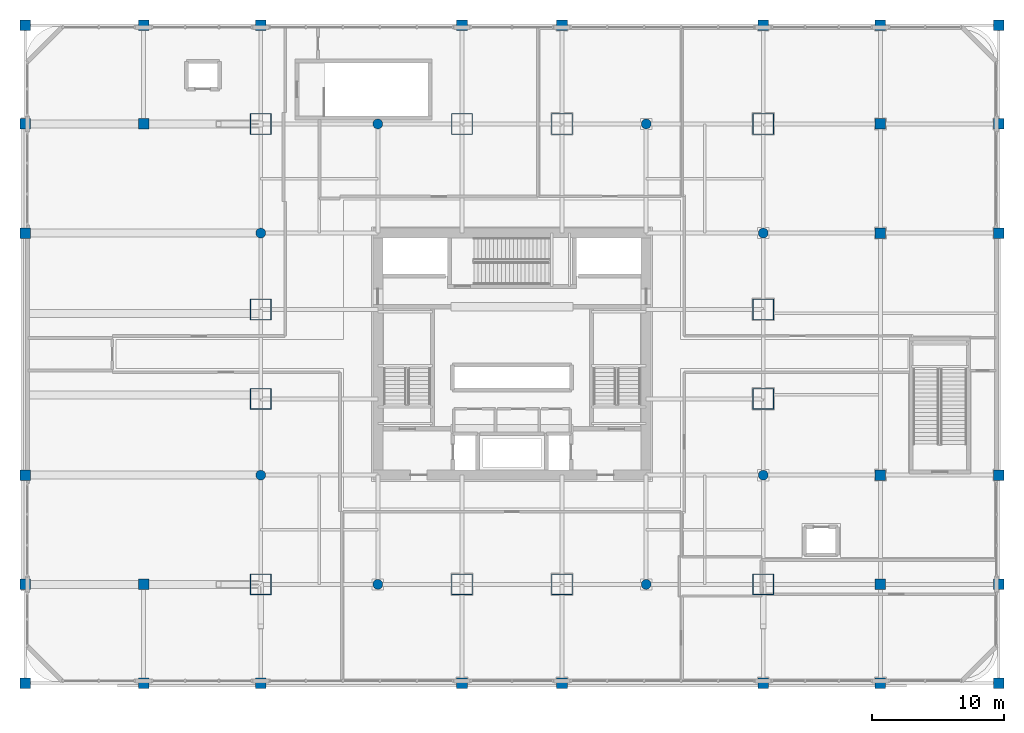
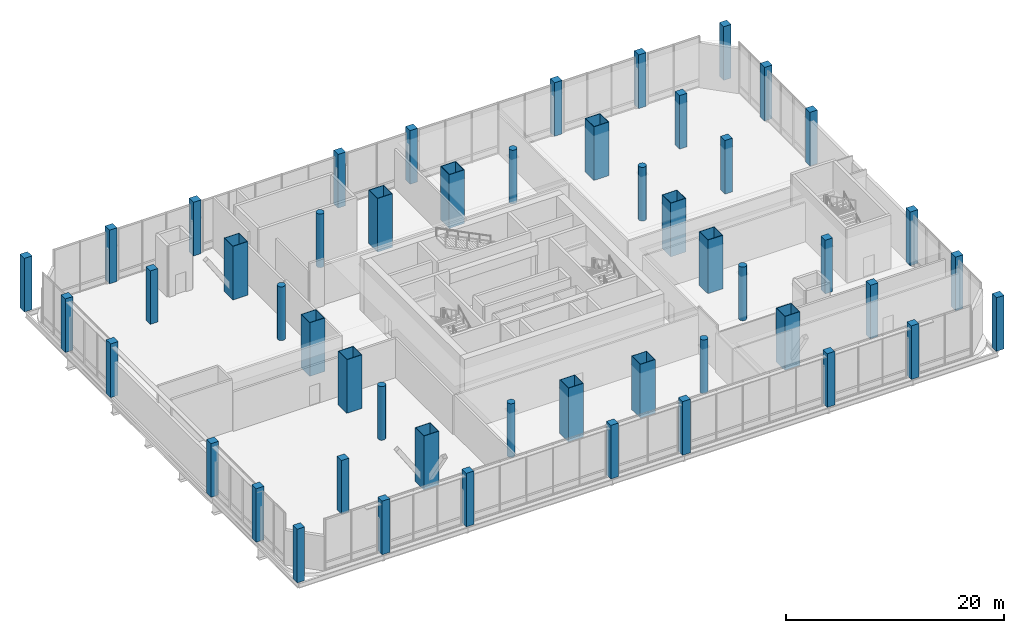
# One storey, part 1 of 38: 50 columns.
"""IFC4 building model written with IfcOpenShell, lengths in metres."""

from ifc_helpers import new_model, si_unit, direction, frame, origin, origin_2d, place, context, subcontext, project, spatial, rectangle, hollow_rectangle, circle, extrude, material, material_profile, profile_set, type_object, element, save


model = new_model("IFC4")

# Units and contexts
model_context = context("Model", 3, precision=1e-05, world=origin(), true_north=direction((0.0, 1.0)))
body_context = subcontext(model_context, "Body", "Model", "MODEL_VIEW")
ifc_project = project(units=[si_unit("LENGTHUNIT", "METRE"), si_unit("AREAUNIT", "SQUARE_METRE"), si_unit("VOLUMEUNIT", "CUBIC_METRE"), si_unit("PLANEANGLEUNIT", "RADIAN"), si_unit("MASSUNIT", "GRAM", prefix="KILO")], contexts=[model_context])

# Site, building, storey
site_placement = place(None, origin())
site = spatial("IfcSite", under=ifc_project, at=site_placement, CompositionType="ELEMENT")
building_placement = place(site_placement, origin())
building = spatial("IfcBuilding", under=site, at=building_placement, Name="Punatoya Terracotta Tower", CompositionType="ELEMENT")
storey_placement = place(building_placement, frame((0.0, 0.0, 22.199951171875)))
storey = spatial("IfcBuildingStorey", under=building, at=storey_placement, Name="L04", CompositionType="ELEMENT", Elevation=22.199951171875)

# Columns
ifc_material_1 = material(Name="Steel S460", Category="steel")
ifc_material_profile_1 = material_profile(ifc_material_1, hollow_rectangle(XDim=1.60009765625, YDim=1.60009765625, WallThickness=0.050048828125, at=origin_2d()))
ifc_profile_set_1 = profile_set([ifc_material_profile_1], Name="Steel S460")
column_type_1 = type_object("IfcColumnType", Name="COL-MC-Z0", PredefinedType="COLUMN", material=ifc_profile_set_1)
for number, where, z_axis, x_axis, name in (
    (1, (-19.10009765625, -17.5, 0.0), (0.0, 0.0, 1.0), (1.0, 0.0, 0.0), "L04 Composite Mega-Column MC-01 (3-B)"),
    (2, (-3.800048828125, -17.5, 0.0), (0.0, 0.0, 1.0), (1.0, 0.0, 0.0), "L04 Composite Mega-Column MC-02 (5-B)"),
    (3, (3.800048828125, -17.5, 0.0), (0.0, 0.0, 1.0), (1.0, 0.0, 0.0), "L04 Composite Mega-Column MC-03 (7-B)"),
    (4, (19.10009765625, -17.5, 0.0), (0.0, 0.0, 1.0), (1.0, 0.0, 0.0), "L04 Composite Mega-Column MC-04 (9-B)"),
    (5, (19.10009765625, -3.39990234375, 0.0), (0.0, 0.0, 1.0), (1.0, 0.0, 0.0), "L04 Composite Mega-Column MC-05 (9-D)"),
    (6, (19.10009765625, 3.39990234375, 0.0), (0.0, 0.0, 1.0), (1.0, 0.0, 0.0), "L04 Composite Mega-Column MC-06 (9-E)"),
    (7, (19.10009765625, 17.5, 0.0), (0.0, 0.0, 1.0), (1.0, 0.0, 0.0), "L04 Composite Mega-Column MC-07 (9-G)"),
    (8, (3.800048828125, 17.5, 0.0), (0.0, 0.0, 1.0), (1.0, 0.0, 0.0), "L04 Composite Mega-Column MC-08 (7-G)"),
    (9, (-3.800048828125, 17.5, 0.0), (0.0, 0.0, 1.0), (1.0, 0.0, 0.0), "L04 Composite Mega-Column MC-09 (5-G)"),
    (10, (-19.10009765625, 17.5, 0.0), (0.0, 0.0, 1.0), (1.0, 0.0, 0.0), "L04 Composite Mega-Column MC-10 (3-G)"),
    (11, (-19.10009765625, 3.39990234375, 0.0), (0.0, 0.0, 1.0), (1.0, 0.0, 0.0), "L04 Composite Mega-Column MC-11 (3-E)"),
    (12, (-19.10009765625, -3.39990234375, 0.0), (0.0, 0.0, 1.0), (1.0, 0.0, 0.0), "L04 Composite Mega-Column MC-12 (3-D)"),
):
    element("IfcColumn", number, at=place(storey_placement, frame(where, z_axis=z_axis, x_axis=x_axis)), inside=storey, type_object=column_type_1, Name=name, PredefinedType="COLUMN", context=body_context, shape_type="SweptSolid", body=[
        extrude(hollow_rectangle(XDim=1.60009765625, YDim=1.60009765625, WallThickness=0.050048828125, at=origin_2d()), origin(), (0.0, 0.0, 1.0), 6.0),
    ])
ifc_material_2 = material(Name="Concrete C50/60", Category="concrete")
ifc_material_profile_2 = material_profile(ifc_material_2, circle(Radius=0.375, at=origin_2d()))
ifc_profile_set_2 = profile_set([ifc_material_profile_2], Name="Concrete C50/60")
column_type_2 = type_object("IfcColumnType", Name="COL-PIL-750", PredefinedType="PILASTER", material=ifc_profile_set_2)
for number, where, z_axis, x_axis, name in (
    (13, (-10.199951171875, -17.5, 0.0), (0.0, 0.0, 1.0), (1.0, 0.0, 0.0), "L04 Spine Arcade Pilaster PIL-01"),
    (14, (10.199951171875, -17.5, 0.0), (0.0, 0.0, 1.0), (1.0, 0.0, 0.0), "L04 Spine Arcade Pilaster PIL-02"),
    (15, (-10.199951171875, 17.5, 0.0), (0.0, 0.0, 1.0), (1.0, 0.0, 0.0), "L04 Spine Arcade Pilaster PIL-03"),
    (16, (10.199951171875, 17.5, 0.0), (0.0, 0.0, 1.0), (1.0, 0.0, 0.0), "L04 Spine Arcade Pilaster PIL-04"),
    (17, (-19.10009765625, -9.199951171875, 0.0), (0.0, 0.0, 1.0), (1.0, 0.0, 0.0), "L04 Spine Arcade Pilaster PIL-05"),
    (18, (19.10009765625, -9.199951171875, 0.0), (0.0, 0.0, 1.0), (1.0, 0.0, 0.0), "L04 Spine Arcade Pilaster PIL-06"),
    (19, (-19.10009765625, 9.199951171875, 0.0), (0.0, 0.0, 1.0), (1.0, 0.0, 0.0), "L04 Spine Arcade Pilaster PIL-07"),
    (20, (19.10009765625, 9.199951171875, 0.0), (0.0, 0.0, 1.0), (1.0, 0.0, 0.0), "L04 Spine Arcade Pilaster PIL-08"),
):
    element("IfcColumn", number, at=place(storey_placement, frame(where, z_axis=z_axis, x_axis=x_axis)), inside=storey, type_object=column_type_2, Name=name, PredefinedType="PILASTER", context=body_context, shape_type="SweptSolid", body=[
        extrude(circle(Radius=0.375, at=origin_2d()), origin(), (0.0, 0.0, 1.0), 6.0),
    ])
ifc_material_profile_3 = material_profile(ifc_material_2, rectangle(XDim=0.800048828125, YDim=0.800048828125, at=origin_2d()))
ifc_profile_set_3 = profile_set([ifc_material_profile_3], Name="Concrete C50/60")
column_type_3 = type_object("IfcColumnType", Name="COL-RC-800", PredefinedType="COLUMN", material=ifc_profile_set_3)
for number, where, z_axis, x_axis, name in (
    (21, (-37.0, -25.0, 0.0), (0.0, 0.0, 1.0), (1.0, 0.0, 0.0), "L04 Podium Column PC-01 (1-A)"),
    (22, (-28.0, -25.0, 0.0), (0.0, 0.0, 1.0), (1.0, 0.0, 0.0), "L04 Podium Column PC-02 (2-A)"),
    (23, (-19.10009765625, -25.0, 0.0), (0.0, 0.0, 1.0), (1.0, 0.0, 0.0), "L04 Podium Column PC-03 (3-A)"),
    (24, (-3.800048828125, -25.0, 0.0), (0.0, 0.0, 1.0), (1.0, 0.0, 0.0), "L04 Podium Column PC-04 (5-A)"),
    (25, (3.800048828125, -25.0, 0.0), (0.0, 0.0, 1.0), (1.0, 0.0, 0.0), "L04 Podium Column PC-05 (7-A)"),
    (26, (19.10009765625, -25.0, 0.0), (0.0, 0.0, 1.0), (1.0, 0.0, 0.0), "L04 Podium Column PC-06 (9-A)"),
    (27, (28.0, -25.0, 0.0), (0.0, 0.0, 1.0), (1.0, 0.0, 0.0), "L04 Podium Column PC-07 (10-A)"),
    (28, (37.0, -25.0, 0.0), (0.0, 0.0, 1.0), (1.0, 0.0, 0.0), "L04 Podium Column PC-08 (11-A)"),
    (29, (-37.0, -17.5, 0.0), (0.0, 0.0, 1.0), (1.0, 0.0, 0.0), "L04 Podium Column PC-09 (1-B)"),
    (30, (-28.0, -17.5, 0.0), (0.0, 0.0, 1.0), (1.0, 0.0, 0.0), "L04 Podium Column PC-10 (2-B)"),
    (31, (28.0, -17.5, 0.0), (0.0, 0.0, 1.0), (1.0, 0.0, 0.0), "L04 Podium Column PC-11 (10-B)"),
    (32, (37.0, -17.5, 0.0), (0.0, 0.0, 1.0), (1.0, 0.0, 0.0), "L04 Podium Column PC-12 (11-B)"),
    (33, (-37.0, -9.199951171875, 0.0), (0.0, 0.0, 1.0), (1.0, 0.0, 0.0), "L04 Podium Column PC-13 (1-C)"),
    (34, (37.0, -9.199951171875, 0.0), (0.0, 0.0, 1.0), (1.0, 0.0, 0.0), "L04 Podium Column PC-14 (11-C)"),
    (35, (-37.0, 9.199951171875, 0.0), (0.0, 0.0, 1.0), (1.0, 0.0, 0.0), "L04 Podium Column PC-15 (1-F)"),
    (36, (37.0, 9.199951171875, 0.0), (0.0, 0.0, 1.0), (1.0, 0.0, 0.0), "L04 Podium Column PC-16 (11-F)"),
    (37, (-37.0, 17.5, 0.0), (0.0, 0.0, 1.0), (1.0, 0.0, 0.0), "L04 Podium Column PC-17 (1-G)"),
    (38, (-28.0, 17.5, 0.0), (0.0, 0.0, 1.0), (1.0, 0.0, 0.0), "L04 Podium Column PC-18 (2-G)"),
    (39, (28.0, 17.5, 0.0), (0.0, 0.0, 1.0), (1.0, 0.0, 0.0), "L04 Podium Column PC-19 (10-G)"),
    (40, (37.0, 17.5, 0.0), (0.0, 0.0, 1.0), (1.0, 0.0, 0.0), "L04 Podium Column PC-20 (11-G)"),
    (41, (-37.0, 25.0, 0.0), (0.0, 0.0, 1.0), (1.0, 0.0, 0.0), "L04 Podium Column PC-21 (1-H)"),
    (42, (-28.0, 25.0, 0.0), (0.0, 0.0, 1.0), (1.0, 0.0, 0.0), "L04 Podium Column PC-22 (2-H)"),
    (43, (-19.10009765625, 25.0, 0.0), (0.0, 0.0, 1.0), (1.0, 0.0, 0.0), "L04 Podium Column PC-23 (3-H)"),
    (44, (-3.800048828125, 25.0, 0.0), (0.0, 0.0, 1.0), (1.0, 0.0, 0.0), "L04 Podium Column PC-24 (5-H)"),
    (45, (3.800048828125, 25.0, 0.0), (0.0, 0.0, 1.0), (1.0, 0.0, 0.0), "L04 Podium Column PC-25 (7-H)"),
    (46, (19.10009765625, 25.0, 0.0), (0.0, 0.0, 1.0), (1.0, 0.0, 0.0), "L04 Podium Column PC-26 (9-H)"),
    (47, (28.0, 25.0, 0.0), (0.0, 0.0, 1.0), (1.0, 0.0, 0.0), "L04 Podium Column PC-27 (10-H)"),
    (48, (37.0, 25.0, 0.0), (0.0, 0.0, 1.0), (1.0, 0.0, 0.0), "L04 Podium Column PC-28 (11-H)"),
    (49, (28.0, -9.199951171875, 0.0), (0.0, 0.0, 1.0), (1.0, 0.0, 0.0), "L04 Podium Column PC-31 (10-C)"),
    (50, (28.0, 9.199951171875, 0.0), (0.0, 0.0, 1.0), (1.0, 0.0, 0.0), "L04 Podium Column PC-32 (10-F)"),
):
    element("IfcColumn", number, at=place(storey_placement, frame(where, z_axis=z_axis, x_axis=x_axis)), inside=storey, type_object=column_type_3, Name=name, PredefinedType="COLUMN", context=body_context, shape_type="SweptSolid", body=[
        extrude(rectangle(XDim=0.800048828125, YDim=0.800048828125, at=origin_2d()), origin(), (0.0, 0.0, 1.0), 6.0),
    ])

save(model, "model.ifc")
